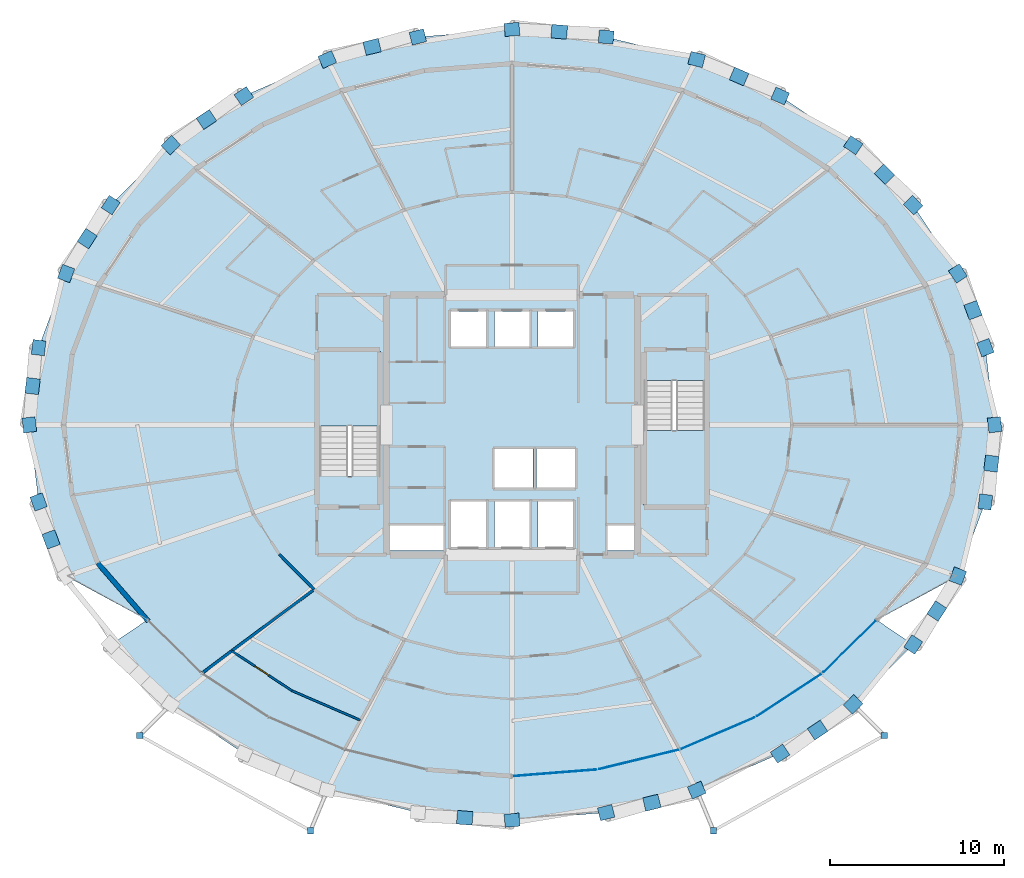
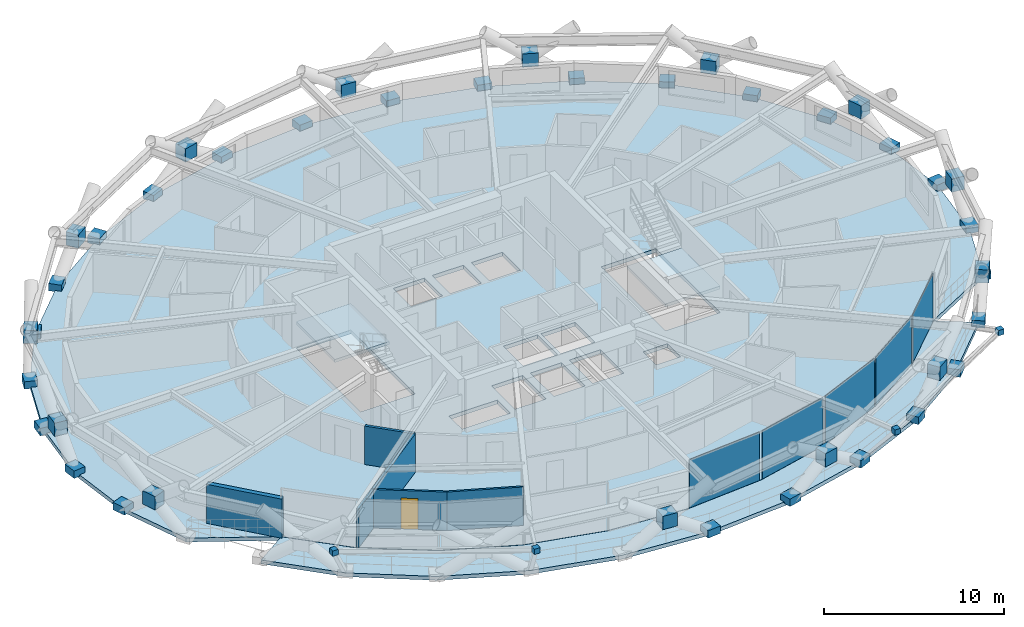
# One storey, part 12 of 19: 49 plates, 5 walls, 4 slabs, 1 door, 1 opening, 3 elements without a shape of their own.
"""IFC4 building model written with IfcOpenShell, lengths in metres."""

from ifc_helpers import new_model, si_unit, direction, frame, frame_2d, origin, origin_2d, place, context, subcontext, project, spatial, polyline, rectangle, outline, extrude, material, layer, layer_set, type_object, element, fill, aggregate, save


model = new_model("IFC4")

# Units and contexts
model_context = context("Model", 3, precision=1e-05, world=origin(), true_north=direction((0.0, 1.0)))
body_context = subcontext(model_context, "Body", "Model", "MODEL_VIEW")
ifc_project = project(units=[si_unit("LENGTHUNIT", "METRE"), si_unit("AREAUNIT", "SQUARE_METRE"), si_unit("VOLUMEUNIT", "CUBIC_METRE"), si_unit("PLANEANGLEUNIT", "RADIAN"), si_unit("MASSUNIT", "GRAM", prefix="KILO")], contexts=[model_context])

# Site, building, storey
site_placement = place(None, origin())
site = spatial("IfcSite", under=ifc_project, at=site_placement, CompositionType="ELEMENT")
building_placement = place(site_placement, origin())
building = spatial("IfcBuilding", under=site, at=building_placement, Name="Veldorina Hangang Commons", CompositionType="ELEMENT")
storey_placement = place(building_placement, frame((0.0, 0.0, 34.0)))
storey = spatial("IfcBuildingStorey", under=building, at=storey_placement, Name="L07", CompositionType="ELEMENT", Elevation=34.0)

# Curtain wall, plates
ifc_material_1 = material(Name="Glass Low-E Triple IGU", Category="glass")
ifc_layer_1 = layer(ifc_material_1, 0.179931640625)
ifc_layer_set_1 = layer_set([ifc_layer_1], Name="Glass Low-E Triple IGU")
curtain_wall_type = type_object("IfcCurtainWallType", Name="CW-SYS-Z1", PredefinedType="NOTDEFINED", material=ifc_layer_set_1)
curtain_wall_placement = place(storey_placement, origin())
curtain_wall = element("IfcCurtainWall", 1, at=curtain_wall_placement, inside=storey, type_object=curtain_wall_type, Name="L07 unitised curtain wall CW-L07-R2", PredefinedType="NOTDEFINED")
ifc_layer_2 = layer(ifc_material_1, 0.0400390625)
ifc_layer_set_2 = layer_set([ifc_layer_2], Name="Glass Low-E Triple IGU")
plate_type_1 = type_object("IfcPlateType", Name="CW-PNL-VIS", PredefinedType="CURTAIN_PANEL", material=ifc_layer_set_2)
plate_1_placement = place(storey_placement, frame((34.453125, 4.045654296875, 0.014892578125), z_axis=(0.0, 0.0, 1.0), x_axis=(0.996902252296, 0.078650488669, 0.0)))
plate_1 = element("IfcPlate", 2, at=plate_1_placement, type_object=plate_type_1, Name="CW-L07-R2 facet 1 glazed vision panel", PredefinedType="CURTAIN_PANEL", context=body_context, shape_type="SweptSolid", body=[
    extrude(rectangle(XDim=4.7412109375, YDim=0.0400390625, at=origin_2d()), origin(), (0.0, 0.0, 1.0), 3.27001953125),
])
plate_2_placement = place(storey_placement, frame((39.264892578125, 4.8125, 0.014892578125), z_axis=(0.0, 0.0, 1.0), x_axis=(0.971710105527, 0.236176778742, 0.0)))
plate_2 = element("IfcPlate", 3, at=plate_2_placement, type_object=plate_type_1, Name="CW-L07-R2 facet 2 glazed vision panel", PredefinedType="CURTAIN_PANEL", context=body_context, shape_type="SweptSolid", body=[
    extrude(rectangle(XDim=4.6748046875, YDim=0.0400390625, at=origin_2d()), origin(), (0.0, 0.0, 1.0), 3.27001953125),
])
plate_3_placement = place(storey_placement, frame((43.797607421875, 6.316650390625, 0.014892578125), z_axis=(0.0, 0.0, 1.0), x_axis=(0.919259054397, 0.393653135273, 0.0)))
plate_3 = element("IfcPlate", 4, at=plate_3_placement, type_object=plate_type_1, Name="CW-L07-R2 facet 3 glazed vision panel", PredefinedType="CURTAIN_PANEL", context=body_context, shape_type="SweptSolid", body=[
    extrude(rectangle(XDim=4.549560546875, YDim=0.0400390625, at=origin_2d()), origin(), (0.0, 0.0, 1.0), 3.27001953125),
])
plate_4_placement = place(storey_placement, frame((47.876953125, 8.50048828125, 0.014892578125), z_axis=(0.0, 0.0, 1.0), x_axis=(0.835567725417, 0.549387455483, 0.0)))
plate_4 = element("IfcPlate", 5, at=plate_4_placement, type_object=plate_type_1, Name="CW-L07-R2 facet 4 glazed vision panel", PredefinedType="CURTAIN_PANEL", context=body_context, shape_type="SweptSolid", body=[
    extrude(rectangle(XDim=4.380859375, YDim=0.0400390625, at=origin_2d()), origin(), (0.0, 0.0, 1.0), 3.27001953125),
])
plate_5_placement = place(storey_placement, frame((51.345947265625, 11.27978515625, 0.014892578125), z_axis=(0.0, 0.0, 1.0), x_axis=(0.715558634406, 0.6985526757, 0.0)))
plate_5 = element("IfcPlate", 6, at=plate_5_placement, type_object=plate_type_1, Name="CW-L07-R2 facet 5 glazed vision panel", PredefinedType="CURTAIN_PANEL", context=body_context, shape_type="SweptSolid", body=[
    extrude(rectangle(XDim=4.190673828125, YDim=0.0400390625, at=origin_2d()), origin(), (0.0, 0.0, 1.0), 3.27001953125),
])
aggregate(curtain_wall, [plate_1, plate_2, plate_3, plate_4, plate_5])

# Plates
ifc_material_2 = material(Name="Steel SM460-TMC", Category="steel")
ifc_layer_3 = layer(ifc_material_2, 0.035888671875)
ifc_layer_set_3 = layer_set([ifc_layer_3], Name="Steel SM460-TMC")
plate_type_2 = type_object("IfcPlateType", Name="PL-STAR-36", PredefinedType="USERDEFINED", material=ifc_layer_set_3)
for number, where, z_axis, x_axis, name in (
    (7, (59.66796875, 24.0, -0.090087890625), (0.0, 0.0, 1.0), (-0.119357092069, 0.992851390981, 0.0), "L07 diagrid star-node gusset plate 00"),
    (8, (59.13623046875, 28.42236328125, -0.090087890625), (0.0, 0.0, 1.0), (-0.347230280947, 0.937779895281, 0.0), "L07 diagrid star-node gusset plate 01"),
):
    element("IfcPlate", number, at=place(storey_placement, frame(where, z_axis=z_axis, x_axis=x_axis)), inside=storey, type_object=plate_type_2, Name=name, ObjectType="GUSSET PLATE", PredefinedType="USERDEFINED", context=body_context, shape_type="SweptSolid", body=[
        extrude(rectangle(XDim=0.85009765625, YDim=0.75, at=origin_2d()), origin(), (0.0, 0.0, 1.0), 0.5),
    ])
plate_6_placement = place(storey_placement, frame((58.42822265625, 30.572509765625, 1.34375), z_axis=(0.0, 0.0, 1.0), x_axis=(-0.347230280947, 0.937779895281, 0.0)))
element("IfcPlate", 9, at=plate_6_placement, inside=storey, type_object=plate_type_2, Name="L07 diagrid X-crossing star-node gusset plate 01", ObjectType="GUSSET PLATE", PredefinedType="USERDEFINED", context=body_context, shape_type="SweptSolid", body=[
    extrude(rectangle(XDim=0.89990234375, YDim=0.780029296875, at=origin_2d()), origin(), (0.0, 0.0, 1.0), 0.89990234375),
])
for number, where, z_axis, x_axis, name in (
    (10, (57.561767578125, 32.674560546875, -0.090087890625), (0.0, 0.0, 1.0), (-0.546408964273, 0.837518503534, 0.0), "L07 diagrid star-node gusset plate 02"),
    (11, (55.0048828125, 36.593505859375, -0.090087890625), (0.0, 0.0, 1.0), (-0.707698917372, 0.706514148727, 0.0), "L07 diagrid star-node gusset plate 03"),
):
    element("IfcPlate", number, at=place(storey_placement, frame(where, z_axis=z_axis, x_axis=x_axis)), inside=storey, type_object=plate_type_2, Name=name, ObjectType="GUSSET PLATE", PredefinedType="USERDEFINED", context=body_context, shape_type="SweptSolid", body=[
        extrude(rectangle(XDim=0.85009765625, YDim=0.75, at=origin_2d()), origin(), (0.0, 0.0, 1.0), 0.5),
    ])
plate_7_placement = place(storey_placement, frame((53.348876953125, 38.364013671875, 1.343994140625), z_axis=(0.0, 0.0, 1.0), x_axis=(-0.707698917372, 0.706514148727, 0.0)))
element("IfcPlate", 12, at=plate_7_placement, inside=storey, type_object=plate_type_2, Name="L07 diagrid X-crossing star-node gusset plate 03", ObjectType="GUSSET PLATE", PredefinedType="USERDEFINED", context=body_context, shape_type="SweptSolid", body=[
    extrude(rectangle(XDim=0.89990234375, YDim=0.780029296875, at=origin_2d()), origin(), (0.0, 0.0, 1.0), 0.89990234375),
])
for number, where, z_axis, x_axis, name in (
    (13, (51.564208984375, 40.028564453125, -0.090087890625), (0.0, 0.0, 1.0), (-0.829856500918, 0.557976870385, 0.0), "L07 diagrid star-node gusset plate 04"),
    (14, (47.37158203125, 42.84765625, -0.090087890625), (0.0, 0.0, 1.0), (-0.916020011466, 0.401132569848, 0.0), "L07 diagrid star-node gusset plate 05"),
):
    element("IfcPlate", number, at=place(storey_placement, frame(where, z_axis=z_axis, x_axis=x_axis)), inside=storey, type_object=plate_type_2, Name=name, ObjectType="GUSSET PLATE", PredefinedType="USERDEFINED", context=body_context, shape_type="SweptSolid", body=[
        extrude(rectangle(XDim=0.85009765625, YDim=0.75, at=origin_2d()), origin(), (0.0, 0.0, 1.0), 0.5),
    ])
plate_8_placement = place(storey_placement, frame((45.018798828125, 43.96826171875, 1.344482421875), z_axis=(0.0, 0.0, 1.0), x_axis=(-0.916020011466, 0.401132569848, 0.0)))
element("IfcPlate", 15, at=plate_8_placement, inside=storey, type_object=plate_type_2, Name="L07 diagrid X-crossing star-node gusset plate 05", ObjectType="GUSSET PLATE", PredefinedType="USERDEFINED", context=body_context, shape_type="SweptSolid", body=[
    extrude(rectangle(XDim=0.89990234375, YDim=0.780029296875, at=origin_2d()), origin(), (0.0, 0.0, 1.0), 0.89990234375),
])
for number, where, z_axis, x_axis, name in (
    (16, (42.587890625, 44.9423828125, -0.090087890625), (0.0, 0.0, 1.0), (-0.970481222826, 0.241176690711, 0.0), "L07 diagrid star-node gusset plate 06"),
    (17, (37.397705078125, 46.232421875, -0.090087890625), (0.0, 0.0, 1.0), (-0.996759252406, 0.080442480959, 0.0), "L07 diagrid star-node gusset plate 07"),
):
    element("IfcPlate", number, at=place(storey_placement, frame(where, z_axis=z_axis, x_axis=x_axis)), inside=storey, type_object=plate_type_2, Name=name, ObjectType="GUSSET PLATE", PredefinedType="USERDEFINED", context=body_context, shape_type="SweptSolid", body=[
        extrude(rectangle(XDim=0.85009765625, YDim=0.75, at=origin_2d()), origin(), (0.0, 0.0, 1.0), 0.5),
    ])
plate_9_placement = place(storey_placement, frame((34.706787109375, 46.531982421875, 1.3447265625), z_axis=(0.0, 0.0, 1.0), x_axis=(-0.996759252406, 0.080442480959, 0.0)))
element("IfcPlate", 18, at=plate_9_placement, inside=storey, type_object=plate_type_2, Name="L07 diagrid X-crossing star-node gusset plate 07", ObjectType="GUSSET PLATE", PredefinedType="USERDEFINED", context=body_context, shape_type="SweptSolid", body=[
    extrude(rectangle(XDim=0.89990234375, YDim=0.780029296875, at=origin_2d()), origin(), (0.0, 0.0, 1.0), 0.89990234375),
])
for number, where, z_axis, x_axis, name in (
    (19, (32.0, 46.66796875, -0.090087890625), (0.0, 0.0, 1.0), (-0.996759252406, -0.080442480959, 0.0), "L07 diagrid star-node gusset plate 08"),
    (20, (26.602294921875, 46.232421875, -0.090087890625), (0.0, 0.0, 1.0), (-0.970481222826, -0.241176690711, 0.0), "L07 diagrid star-node gusset plate 09"),
):
    element("IfcPlate", number, at=place(storey_placement, frame(where, z_axis=z_axis, x_axis=x_axis)), inside=storey, type_object=plate_type_2, Name=name, ObjectType="GUSSET PLATE", PredefinedType="USERDEFINED", context=body_context, shape_type="SweptSolid", body=[
        extrude(rectangle(XDim=0.85009765625, YDim=0.75, at=origin_2d()), origin(), (0.0, 0.0, 1.0), 0.5),
    ])
plate_10_placement = place(storey_placement, frame((23.9833984375, 45.665771484375, 1.3447265625), z_axis=(0.0, 0.0, 1.0), x_axis=(-0.970481222826, -0.241176690711, 0.0)))
element("IfcPlate", 21, at=plate_10_placement, inside=storey, type_object=plate_type_2, Name="L07 diagrid X-crossing star-node gusset plate 09", ObjectType="GUSSET PLATE", PredefinedType="USERDEFINED", context=body_context, shape_type="SweptSolid", body=[
    extrude(rectangle(XDim=0.89990234375, YDim=0.780029296875, at=origin_2d()), origin(), (0.0, 0.0, 1.0), 0.89990234375),
])
for number, where, z_axis, x_axis, name in (
    (22, (21.412109375, 44.9423828125, -0.090087890625), (0.0, 0.0, 1.0), (-0.916020011466, -0.401132569848, 0.0), "L07 diagrid star-node gusset plate 10"),
    (23, (16.62841796875, 42.84765625, -0.090087890625), (0.0, 0.0, 1.0), (-0.829856500918, -0.557976870385, 0.0), "L07 diagrid star-node gusset plate 11"),
):
    element("IfcPlate", number, at=place(storey_placement, frame(where, z_axis=z_axis, x_axis=x_axis)), inside=storey, type_object=plate_type_2, Name=name, ObjectType="GUSSET PLATE", PredefinedType="USERDEFINED", context=body_context, shape_type="SweptSolid", body=[
        extrude(rectangle(XDim=0.85009765625, YDim=0.75, at=origin_2d()), origin(), (0.0, 0.0, 1.0), 0.5),
    ])
plate_11_placement = place(storey_placement, frame((14.48046875, 41.501220703125, 1.34423828125), z_axis=(0.0, 0.0, 1.0), x_axis=(-0.829856500918, -0.557976870385, 0.0)))
element("IfcPlate", 24, at=plate_11_placement, inside=storey, type_object=plate_type_2, Name="L07 diagrid X-crossing star-node gusset plate 11", ObjectType="GUSSET PLATE", PredefinedType="USERDEFINED", context=body_context, shape_type="SweptSolid", body=[
    extrude(rectangle(XDim=0.89990234375, YDim=0.780029296875, at=origin_2d()), origin(), (0.0, 0.0, 1.0), 0.89990234375),
])
for number, where, z_axis, x_axis, name in (
    (25, (12.435791015625, 40.028564453125, -0.090087890625), (0.0, 0.0, 1.0), (-0.707698917372, -0.706514148727, 0.0), "L07 diagrid star-node gusset plate 12"),
    (26, (8.9951171875, 36.593505859375, -0.090087890625), (0.0, 0.0, 1.0), (-0.546408964273, -0.837518503534, 0.0), "L07 diagrid star-node gusset plate 13"),
):
    element("IfcPlate", number, at=place(storey_placement, frame(where, z_axis=z_axis, x_axis=x_axis)), inside=storey, type_object=plate_type_2, Name=name, ObjectType="GUSSET PLATE", PredefinedType="USERDEFINED", context=body_context, shape_type="SweptSolid", body=[
        extrude(rectangle(XDim=0.85009765625, YDim=0.75, at=origin_2d()), origin(), (0.0, 0.0, 1.0), 0.5),
    ])
plate_12_placement = place(storey_placement, frame((7.64453125, 34.672607421875, 1.34375), z_axis=(0.0, 0.0, 1.0), x_axis=(-0.546408964273, -0.837518503534, 0.0)))
element("IfcPlate", 27, at=plate_12_placement, inside=storey, type_object=plate_type_2, Name="L07 diagrid X-crossing star-node gusset plate 13", ObjectType="GUSSET PLATE", PredefinedType="USERDEFINED", context=body_context, shape_type="SweptSolid", body=[
    extrude(rectangle(XDim=0.89990234375, YDim=0.780029296875, at=origin_2d()), origin(), (0.0, 0.0, 1.0), 0.89990234375),
])
for number, where, z_axis, x_axis, name in (
    (28, (6.438232421875, 32.674560546875, -0.090087890625), (0.0, 0.0, 1.0), (-0.347230280947, -0.937779895281, 0.0), "L07 diagrid star-node gusset plate 14"),
    (29, (4.86376953125, 28.42236328125, -0.090087890625), (0.0, 0.0, 1.0), (-0.119357092069, -0.992851390981, 0.0), "L07 diagrid star-node gusset plate 15"),
):
    element("IfcPlate", number, at=place(storey_placement, frame(where, z_axis=z_axis, x_axis=x_axis)), inside=storey, type_object=plate_type_2, Name=name, ObjectType="GUSSET PLATE", PredefinedType="USERDEFINED", context=body_context, shape_type="SweptSolid", body=[
        extrude(rectangle(XDim=0.85009765625, YDim=0.75, at=origin_2d()), origin(), (0.0, 0.0, 1.0), 0.5),
    ])
plate_13_placement = place(storey_placement, frame((4.51611328125, 26.21923828125, 1.343505859375), z_axis=(0.0, 0.0, 1.0), x_axis=(-0.119357092069, -0.992851390981, 0.0)))
element("IfcPlate", 30, at=plate_13_placement, inside=storey, type_object=plate_type_2, Name="L07 diagrid X-crossing star-node gusset plate 15", ObjectType="GUSSET PLATE", PredefinedType="USERDEFINED", context=body_context, shape_type="SweptSolid", body=[
    extrude(rectangle(XDim=0.89990234375, YDim=0.780029296875, at=origin_2d()), origin(), (0.0, 0.0, 1.0), 0.89990234375),
])
for number, where, z_axis, x_axis, name in (
    (31, (4.33203125, 24.0, -0.090087890625), (0.0, 0.0, 1.0), (0.119357092069, -0.992851390981, 0.0), "L07 diagrid star-node gusset plate 16"),
    (32, (4.86376953125, 19.57763671875, -0.090087890625), (0.0, 0.0, 1.0), (0.347230280947, -0.937779895281, 0.0), "L07 diagrid star-node gusset plate 17"),
):
    element("IfcPlate", number, at=place(storey_placement, frame(where, z_axis=z_axis, x_axis=x_axis)), inside=storey, type_object=plate_type_2, Name=name, ObjectType="GUSSET PLATE", PredefinedType="USERDEFINED", context=body_context, shape_type="SweptSolid", body=[
        extrude(rectangle(XDim=0.85009765625, YDim=0.75, at=origin_2d()), origin(), (0.0, 0.0, 1.0), 0.5),
    ])
for number, where, z_axis, x_axis, name in (
    (33, (5.57177734375, 17.427490234375, 1.34375), (0.0, 0.0, 1.0), (0.347230280947, -0.937779895281, 0.0), "L07 diagrid X-crossing star-node gusset plate 17"),
    (34, (29.293212890625, 1.468017578125, 1.3447265625), (0.0, 0.0, 1.0), (0.996759252406, -0.080442480959, 0.0), "L07 diagrid X-crossing star-node gusset plate 23"),
):
    element("IfcPlate", number, at=place(storey_placement, frame(where, z_axis=z_axis, x_axis=x_axis)), inside=storey, type_object=plate_type_2, Name=name, ObjectType="GUSSET PLATE", PredefinedType="USERDEFINED", context=body_context, shape_type="SweptSolid", body=[
        extrude(rectangle(XDim=0.89990234375, YDim=0.780029296875, at=origin_2d()), origin(), (0.0, 0.0, 1.0), 0.89990234375),
    ])
for number, where, z_axis, x_axis, name in (
    (35, (32.0, 1.33203125, -0.090087890625), (0.0, 0.0, 1.0), (0.996759252406, 0.080442480959, 0.0), "L07 diagrid star-node gusset plate 24"),
    (36, (37.397705078125, 1.767578125, -0.090087890625), (0.0, 0.0, 1.0), (0.970481222826, 0.241176690711, 0.0), "L07 diagrid star-node gusset plate 25"),
):
    element("IfcPlate", number, at=place(storey_placement, frame(where, z_axis=z_axis, x_axis=x_axis)), inside=storey, type_object=plate_type_2, Name=name, ObjectType="GUSSET PLATE", PredefinedType="USERDEFINED", context=body_context, shape_type="SweptSolid", body=[
        extrude(rectangle(XDim=0.85009765625, YDim=0.75, at=origin_2d()), origin(), (0.0, 0.0, 1.0), 0.5),
    ])
plate_14_placement = place(storey_placement, frame((40.0166015625, 2.334228515625, 1.3447265625), z_axis=(0.0, 0.0, 1.0), x_axis=(0.970481222826, 0.241176690711, 0.0)))
element("IfcPlate", 37, at=plate_14_placement, inside=storey, type_object=plate_type_2, Name="L07 diagrid X-crossing star-node gusset plate 25", ObjectType="GUSSET PLATE", PredefinedType="USERDEFINED", context=body_context, shape_type="SweptSolid", body=[
    extrude(rectangle(XDim=0.89990234375, YDim=0.780029296875, at=origin_2d()), origin(), (0.0, 0.0, 1.0), 0.89990234375),
])
for number, where, z_axis, x_axis, name in (
    (38, (42.587890625, 3.0576171875, -0.090087890625), (0.0, 0.0, 1.0), (0.916020011466, 0.401132569848, 0.0), "L07 diagrid star-node gusset plate 26"),
    (39, (47.37158203125, 5.15234375, -0.090087890625), (0.0, 0.0, 1.0), (0.829856500918, 0.557976870385, 0.0), "L07 diagrid star-node gusset plate 27"),
):
    element("IfcPlate", number, at=place(storey_placement, frame(where, z_axis=z_axis, x_axis=x_axis)), inside=storey, type_object=plate_type_2, Name=name, ObjectType="GUSSET PLATE", PredefinedType="USERDEFINED", context=body_context, shape_type="SweptSolid", body=[
        extrude(rectangle(XDim=0.85009765625, YDim=0.75, at=origin_2d()), origin(), (0.0, 0.0, 1.0), 0.5),
    ])
plate_15_placement = place(storey_placement, frame((49.51953125, 6.498779296875, 1.34423828125), z_axis=(0.0, 0.0, 1.0), x_axis=(0.829856500918, 0.557976870385, 0.0)))
element("IfcPlate", 40, at=plate_15_placement, inside=storey, type_object=plate_type_2, Name="L07 diagrid X-crossing star-node gusset plate 27", ObjectType="GUSSET PLATE", PredefinedType="USERDEFINED", context=body_context, shape_type="SweptSolid", body=[
    extrude(rectangle(XDim=0.89990234375, YDim=0.780029296875, at=origin_2d()), origin(), (0.0, 0.0, 1.0), 0.89990234375),
])
for number, where, z_axis, x_axis, name in (
    (41, (51.564208984375, 7.971435546875, -0.090087890625), (0.0, 0.0, 1.0), (0.707698917372, 0.706514148727, 0.0), "L07 diagrid star-node gusset plate 28"),
    (42, (55.0048828125, 11.406494140625, -0.090087890625), (0.0, 0.0, 1.0), (0.546408964273, 0.837518503534, 0.0), "L07 diagrid star-node gusset plate 29"),
):
    element("IfcPlate", number, at=place(storey_placement, frame(where, z_axis=z_axis, x_axis=x_axis)), inside=storey, type_object=plate_type_2, Name=name, ObjectType="GUSSET PLATE", PredefinedType="USERDEFINED", context=body_context, shape_type="SweptSolid", body=[
        extrude(rectangle(XDim=0.85009765625, YDim=0.75, at=origin_2d()), origin(), (0.0, 0.0, 1.0), 0.5),
    ])
plate_16_placement = place(storey_placement, frame((56.35546875, 13.327392578125, 1.34375), z_axis=(0.0, 0.0, 1.0), x_axis=(0.546408964273, 0.837518503534, 0.0)))
element("IfcPlate", 43, at=plate_16_placement, inside=storey, type_object=plate_type_2, Name="L07 diagrid X-crossing star-node gusset plate 29", ObjectType="GUSSET PLATE", PredefinedType="USERDEFINED", context=body_context, shape_type="SweptSolid", body=[
    extrude(rectangle(XDim=0.89990234375, YDim=0.780029296875, at=origin_2d()), origin(), (0.0, 0.0, 1.0), 0.89990234375),
])
for number, where, z_axis, x_axis, name in (
    (44, (57.561767578125, 15.325439453125, -0.090087890625), (0.0, 0.0, 1.0), (0.347230280947, 0.937779895281, 0.0), "L07 diagrid star-node gusset plate 30"),
    (45, (59.13623046875, 19.57763671875, -0.090087890625), (0.0, 0.0, 1.0), (0.119357092069, 0.992851390981, 0.0), "L07 diagrid star-node gusset plate 31"),
):
    element("IfcPlate", number, at=place(storey_placement, frame(where, z_axis=z_axis, x_axis=x_axis)), inside=storey, type_object=plate_type_2, Name=name, ObjectType="GUSSET PLATE", PredefinedType="USERDEFINED", context=body_context, shape_type="SweptSolid", body=[
        extrude(rectangle(XDim=0.85009765625, YDim=0.75, at=origin_2d()), origin(), (0.0, 0.0, 1.0), 0.5),
    ])
plate_17_placement = place(storey_placement, frame((59.48388671875, 21.78076171875, 1.343505859375), z_axis=(0.0, 0.0, 1.0), x_axis=(0.119357092069, 0.992851390981, 0.0)))
element("IfcPlate", 46, at=plate_17_placement, inside=storey, type_object=plate_type_2, Name="L07 diagrid X-crossing star-node gusset plate 31", ObjectType="GUSSET PLATE", PredefinedType="USERDEFINED", context=body_context, shape_type="SweptSolid", body=[
    extrude(rectangle(XDim=0.89990234375, YDim=0.780029296875, at=origin_2d()), origin(), (0.0, 0.0, 1.0), 0.89990234375),
])
for number, where, z_axis, x_axis, name in (
    (47, (10.65673828125, 6.1923828125, 2.98486328125), (0.0, 0.0, 1.0), (1.0, 0.0, 0.0), "L08 tree balcony 1 strut end gusset A"),
    (48, (20.44921875, 0.733154296875, 2.98486328125), (0.0, 0.0, 1.0), (1.0, 0.0, 0.0), "L08 tree balcony 1 strut end gusset B"),
    (49, (43.55078125, 0.733154296875, 2.98486328125), (0.0, 0.0, 1.0), (1.0, 0.0, 0.0), "L08 tree balcony 2 strut end gusset A"),
    (50, (53.34326171875, 6.1923828125, 2.98486328125), (0.0, 0.0, 1.0), (1.0, 0.0, 0.0), "L08 tree balcony 2 strut end gusset B"),
):
    element("IfcPlate", number, at=place(storey_placement, frame(where, z_axis=z_axis, x_axis=x_axis)), inside=storey, type_object=plate_type_2, Name=name, ObjectType="GUSSET PLATE", PredefinedType="USERDEFINED", context=body_context, shape_type="SweptSolid", body=[
        extrude(rectangle(XDim=0.360107421875, YDim=0.360107421875, at=origin_2d()), origin(), (0.0, 0.0, 1.0), 0.360107421875),
    ])

# Slabs
ifc_material_3 = material(Name="Concrete C40/50", Category="concrete")
ifc_layer_4 = layer(ifc_material_3, 0.260009765625)
ifc_layer_set_4 = layer_set([ifc_layer_4], Name="Concrete C40/50")
slab_type_1 = type_object("IfcSlabType", Name="SL-FLR-260", PredefinedType="FLOOR", material=ifc_layer_set_4)
slab_1_placement = place(storey_placement, frame((0.0, 0.0, -0.260009765625)))
element("IfcSlab", 51, at=slab_1_placement, inside=storey, type_object=slab_type_1, Name="L07 tower structural floor slab", PredefinedType="FLOOR", context=body_context, shape_type="SweptSolid", body=[
    extrude(outline(polyline([(59.66796875, 24.0), (59.13623046875, 28.42236328125), (57.561767578125, 32.674560546875), (55.0048828125, 36.593505859375), (51.564208984375, 40.028564453125), (47.37158203125, 42.84765625), (42.587890625, 44.9423828125), (37.397705078125, 46.232421875), (32.0, 46.66796875), (26.602294921875, 46.232421875), (21.412109375, 44.9423828125), (16.62841796875, 42.84765625), (12.435791015625, 40.028564453125), (8.9951171875, 36.593505859375), (6.438232421875, 32.674560546875), (4.86376953125, 28.42236328125), (4.33203125, 24.0), (4.86376953125, 19.57763671875), (6.438232421875, 15.325439453125), (11.09033203125, 12.806396484375), (14.2177734375, 9.75341796875), (18.028564453125, 7.24755859375), (22.376220703125, 5.3857421875), (27.093994140625, 4.2392578125), (32.0, 3.85205078125), (36.906005859375, 4.2392578125), (41.623779296875, 5.3857421875), (45.971435546875, 7.24755859375), (49.7822265625, 9.75341796875), (52.90966796875, 12.806396484375), (57.561767578125, 15.325439453125), (59.13623046875, 19.57763671875), (59.66796875, 24.0)]), holes=[polyline([(20.949951171875, 21.05810546875), (20.949951171875, 28.199951171875), (24.449951171875, 28.199951171875), (24.449951171875, 21.05810546875), (20.949951171875, 21.05810546875)]), polyline([(43.050048828125, 26.5419921875), (43.050048828125, 19.39990234375), (39.550048828125, 19.39990234375), (39.550048828125, 26.5419921875), (43.050048828125, 26.5419921875)]), polyline([(28.5, 30.5), (30.5, 30.5), (30.5, 28.5), (28.5, 28.5), (28.5, 30.5)]), polyline([(31.0, 30.5), (33.0, 30.5), (33.0, 28.5), (31.0, 28.5), (31.0, 30.5)]), polyline([(33.5, 30.5), (35.5, 30.5), (35.5, 28.5), (33.5, 28.5), (33.5, 30.5)]), polyline([(31.0, 22.60009765625), (33.199951171875, 22.60009765625), (33.199951171875, 20.39990234375), (31.0, 20.39990234375), (31.0, 22.60009765625)]), polyline([(33.39990234375, 22.60009765625), (35.60009765625, 22.60009765625), (35.60009765625, 20.39990234375), (33.39990234375, 20.39990234375), (33.39990234375, 22.60009765625)]), polyline([(28.5, 19.60009765625), (30.5, 19.60009765625), (30.5, 17.0), (28.5, 17.0), (28.5, 19.60009765625)]), polyline([(31.0, 19.60009765625), (33.0, 19.60009765625), (33.0, 17.0), (31.0, 17.0), (31.0, 19.60009765625)]), polyline([(33.5, 19.60009765625), (35.5, 19.60009765625), (35.5, 17.0), (33.5, 17.0), (33.5, 19.60009765625)]), polyline([(25.0, 18.25), (28.10009765625, 18.25), (28.10009765625, 16.800048828125), (25.0, 16.800048828125), (25.0, 18.25)]), polyline([(37.449951171875, 18.25), (39.0, 18.25), (39.0, 16.800048828125), (37.449951171875, 16.800048828125), (37.449951171875, 18.25)])]), origin(), (0.0, 0.0, 1.0), 0.260009765625),
])
slab_2_placement = place(storey_placement, frame((0.0, 0.0, -0.260009765625)))
element("IfcSlab", 52, at=slab_2_placement, inside=storey, type_object=slab_type_1, Name="L07 sky-garden loggia outdoor slab", PredefinedType="FLOOR", context=body_context, shape_type="SweptSolid", body=[
    extrude(outline(polyline([(55.0048828125, 11.406494140625), (51.564208984375, 7.971435546875), (47.37158203125, 5.15234375), (42.587890625, 3.0576171875), (37.397705078125, 1.767578125), (32.0, 1.33203125), (26.602294921875, 1.767578125), (21.412109375, 3.0576171875), (16.62841796875, 5.15234375), (12.435791015625, 7.971435546875), (8.9951171875, 11.406494140625), (11.076171875, 12.797119140625), (11.081298828125, 12.794189453125), (14.207275390625, 9.74267578125), (14.208251953125, 9.74169921875), (14.20947265625, 9.74072265625), (18.0205078125, 7.235107421875), (18.021484375, 7.234375), (18.022705078125, 7.23388671875), (22.370361328125, 5.3720703125), (22.37158203125, 5.37158203125), (22.372802734375, 5.37109375), (27.09033203125, 4.224609375), (27.091552734375, 4.224365234375), (27.0927734375, 4.22412109375), (31.998779296875, 3.837158203125), (32.0, 3.837158203125), (32.001220703125, 3.837158203125), (36.9072265625, 4.22412109375), (36.908447265625, 4.224365234375), (36.90966796875, 4.224609375), (41.627197265625, 5.37109375), (41.62841796875, 5.37158203125), (41.629638671875, 5.3720703125), (45.977294921875, 7.23388671875), (45.978515625, 7.234375), (45.9794921875, 7.235107421875), (49.79052734375, 9.74072265625), (49.791748046875, 9.74169921875), (49.792724609375, 9.74267578125), (52.918701171875, 12.794189453125), (52.923828125, 12.797119140625), (55.0048828125, 11.406494140625)])), origin(), (0.0, 0.0, 1.0), 0.260009765625),
])

# Stair, slab
stair_type = type_object("IfcStairType", Name="STR-DOG-1650-20R", PredefinedType="HALF_TURN_STAIR", material=ifc_material_3)
stair_1_placement = place(storey_placement, origin())
stair_1 = element("IfcStair", 53, at=stair_1_placement, inside=storey, type_object=stair_type, Name="L07 Exit stair ST-1", PredefinedType="HALF_TURN_STAIR")
ifc_layer_5 = layer(ifc_material_3, 0.199951171875)
ifc_layer_set_5 = layer_set([ifc_layer_5], Name="Concrete C40/50")
slab_type_2 = type_object("IfcSlabType", Name="SL-LND-200", PredefinedType="LANDING", material=ifc_layer_set_5)
slab_3_placement = place(storey_placement, frame((0.0, 0.0, 1.60009765625)))
slab_3 = element("IfcSlab", 54, at=slab_3_placement, type_object=slab_type_2, Name="ST-1 landing 1", PredefinedType="LANDING", context=body_context, shape_type="SweptSolid", body=[
    extrude(outline(polyline([(24.449951171875, 23.929931640625), (24.449951171875, 28.199951171875), (20.949951171875, 28.199951171875), (20.949951171875, 23.929931640625), (24.449951171875, 23.929931640625)])), origin(), (0.0, 0.0, 1.0), 0.199951171875),
])
aggregate(stair_1, [slab_3])

stair_2_placement = place(storey_placement, origin())
stair_2 = element("IfcStair", 55, at=stair_2_placement, inside=storey, type_object=stair_type, Name="L07 Exit stair ST-2", PredefinedType="HALF_TURN_STAIR")
slab_4_placement = place(storey_placement, frame((0.0, 0.0, 1.60009765625)))
slab_4 = element("IfcSlab", 56, at=slab_4_placement, type_object=slab_type_2, Name="ST-2 landing 1", PredefinedType="LANDING", context=body_context, shape_type="SweptSolid", body=[
    extrude(outline(polyline([(39.550048828125, 23.669921875), (39.550048828125, 19.39990234375), (43.050048828125, 19.39990234375), (43.050048828125, 23.669921875), (39.550048828125, 23.669921875)])), origin(), (0.0, 0.0, 1.0), 0.199951171875),
])
aggregate(stair_2, [slab_4])

# Walls
ifc_material_4 = material(Name="Stone Roman Travertine", Category="masonry")
ifc_layer_6 = layer(ifc_material_4, 0.280029296875)
ifc_layer_set_6 = layer_set([ifc_layer_6], Name="Stone Roman Travertine")
wall_type_1 = type_object("IfcWallType", Name="EW-TRAV-280", PredefinedType="STANDARD", material=ifc_layer_set_6)
wall_1_placement = place(storey_placement, frame((8.2490234375, 16.075439453125, 0.0), z_axis=(0.0, 0.0, 1.0), x_axis=(0.656007880753, -0.754754039665, 0.0)))
element("IfcWall", 57, at=wall_1_placement, inside=storey, type_object=wall_type_1, Name="L07 travertine facade wall 18", PredefinedType="STANDARD", context=body_context, shape_type="SweptSolid", body=[
    extrude(rectangle(XDim=4.423095703125, YDim=0.280029296875, at=frame_2d((2.21142578125, 0.0))), origin(), (0.0, 0.0, 1.0), 2.64990234375),
])
ifc_material_5 = material(Name="Gypsum Fire-Rated Twin Stud Wall", Category="gypsum")
ifc_layer_7 = layer(ifc_material_5, 0.159912109375)
ifc_layer_set_7 = layer_set([ifc_layer_7], Name="Gypsum Fire-Rated Twin Stud Wall")
wall_type_2 = type_object("IfcWallType", Name="WL-FIRE-160", PredefinedType="SOLIDWALL", material=ifc_layer_set_7)
wall_2_placement = place(storey_placement, frame((18.65478515625, 16.5830078125, 0.0), z_axis=(0.0, 0.0, 1.0), x_axis=(0.702366174226, -0.711815816981, 0.0)))
element("IfcWall", 58, at=wall_2_placement, inside=storey, type_object=wall_type_2, Name="L07 Corridor outer wall 19 067", PredefinedType="SOLIDWALL", context=body_context, shape_type="SweptSolid", body=[
    extrude(rectangle(XDim=2.842041015625, YDim=0.159912109375, at=frame_2d((1.4208984375, 0.0))), origin(), (0.0, 0.0, 1.0), 2.610107421875),
])
wall_3_placement = place(storey_placement, frame((20.65087890625, 14.56005859375, 0.0), z_axis=(0.0, 0.0, 1.0), x_axis=(-0.801077985927, -0.598559989026, 0.0)))
element("IfcWall", 59, at=wall_3_placement, inside=storey, type_object=wall_type_2, Name="L07 Unit party wall 20 117", PredefinedType="SOLIDWALL", context=body_context, shape_type="SweptSolid", body=[
    extrude(rectangle(XDim=7.98046875, YDim=0.159912109375, at=frame_2d((3.990234375, 0.0))), origin(), (0.0, 0.0, 1.0), 2.610107421875),
])

# Wall, opening, door
ifc_material_6 = material(Name="Gypsum Acoustic Stud Partition", Category="gypsum")
ifc_layer_8 = layer(ifc_material_6, 0.1201171875)
ifc_layer_set_8 = layer_set([ifc_layer_8], Name="Gypsum Acoustic Stud Partition")
wall_type_3 = type_object("IfcWallType", Name="WL-PART-120", PredefinedType="PARTITIONING", material=ifc_layer_set_8)
wall_4_placement = place(storey_placement, frame((15.9365234375, 11.03759765625, 0.0), z_axis=(0.0, 0.0, 1.0), x_axis=(0.833756488453, -0.552132337364, 0.0)))
wall_4 = element("IfcWall", 60, at=wall_4_placement, inside=storey, type_object=wall_type_3, Name="L07 Laundry split 0 118", PredefinedType="PARTITIONING", context=body_context, shape_type="SweptSolid", body=[
    extrude(rectangle(XDim=4.129150390625, YDim=0.1201171875, at=frame_2d((2.064453125, 0.0))), origin(), (0.0, 0.0, 1.0), 2.610107421875),
])
opening_placement = place(wall_4_placement, frame((1.589599609375, 0.0, 0.0)))
opening = element("IfcOpeningElement", 61, at=opening_placement, cuts=wall_4, Name="Opening D-02", PredefinedType="OPENING", context=body_context, shape_type="SweptSolid", body=[
    extrude(rectangle(XDim=0.949951171875, YDim=2.10009765625, at=frame_2d((0.47509765625, 1.050048828125))), frame((0.0, 0.070068359375, 0.0), z_axis=(0.0, -1.0, 0.0), x_axis=(1.0, 0.0, 0.0)), (0.0, 0.0, 1.0), 0.14013671875),
])
ifc_material_7 = material(Name="Timber Solid Core Acoustic", Category="wood")
door_type = type_object("IfcDoorType", Name="DR-INT-950", OperationType="SINGLE_SWING_LEFT", PredefinedType="DOOR", material=ifc_material_7)
door_placement = place(opening_placement, origin())
door = element("IfcDoor", 62, at=door_placement, inside=storey, type_object=door_type, Name="L07 Resident laundry inner door 045", OperationType="SINGLE_SWING_LEFT", OverallHeight=2.10009765625, OverallWidth=0.949951171875, PredefinedType="DOOR", context=body_context, shape_type="SweptSolid", body=[
    extrude(rectangle(XDim=0.949951171875, YDim=2.10009765625, at=frame_2d((0.47509765625, 1.050048828125))), frame((0.0, 0.02490234375, 0.0), z_axis=(0.0, -1.0, 0.0), x_axis=(1.0, 0.0, 0.0)), (0.0, 0.0, 1.0), 0.050048828125),
])
fill(opening, door)

# Wall
wall_5_placement = place(storey_placement, frame((19.379150390625, 8.7578125, 0.0), z_axis=(0.0, 0.0, 1.0), x_axis=(0.918212434059, -0.396088280488, 0.0)))
element("IfcWall", 63, at=wall_5_placement, inside=storey, type_object=wall_type_3, Name="L07 Laundry split 1 119", PredefinedType="PARTITIONING", context=body_context, shape_type="SweptSolid", body=[
    extrude(rectangle(XDim=4.277099609375, YDim=0.1201171875, at=frame_2d((2.138671875, 0.0))), origin(), (0.0, 0.0, 1.0), 2.610107421875),
])

save(model, "model.ifc")
